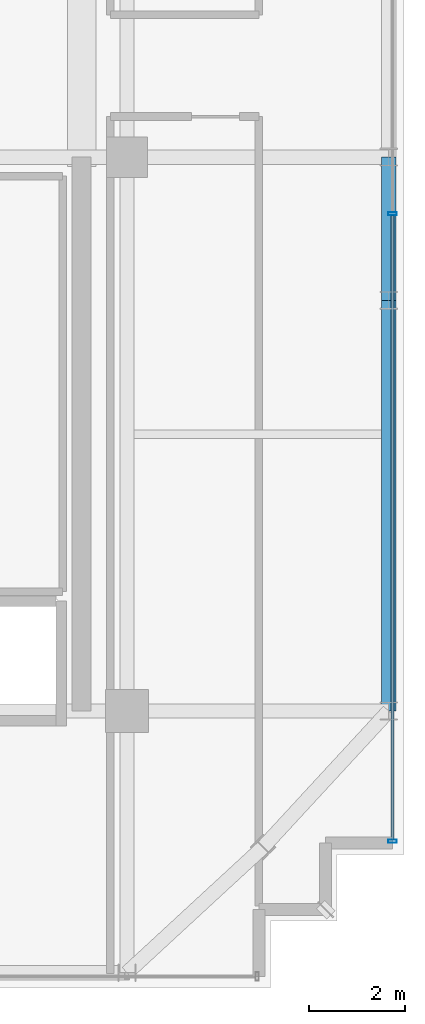
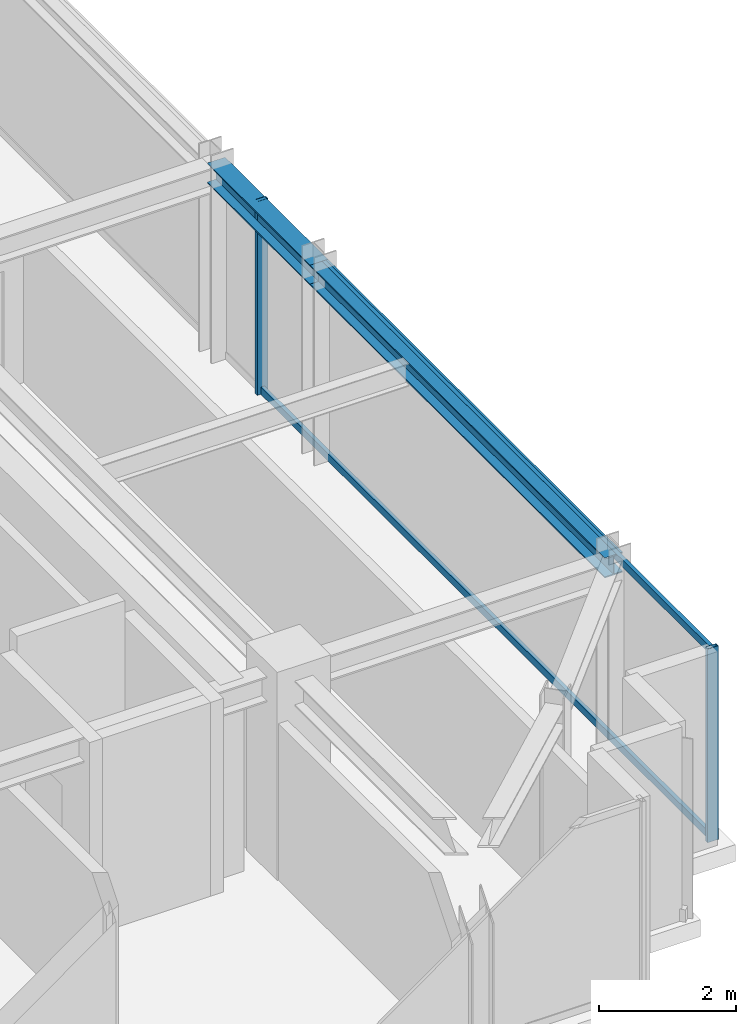
# One storey, part 14 of 36: 4 members, 2 beams, 1 element without a shape of its own.
"""IFC4 building model written with IfcOpenShell, lengths in metres."""

from ifc_helpers import new_model, si_unit, direction, frame, origin, origin_2d, place, context, subcontext, project, spatial, hollow_rectangle, i_section, extrude, source, transform, mapped, material, material_profile, profile_set, type_object, element, aggregate, save


model = new_model("IFC4")

# Units and contexts
model_context = context("Model", 3, precision=1e-05, world=origin(), true_north=direction((0.0, 1.0)))
body_context = subcontext(model_context, "Body", "Model", "MODEL_VIEW")
ifc_project = project(units=[si_unit("LENGTHUNIT", "METRE"), si_unit("AREAUNIT", "SQUARE_METRE"), si_unit("VOLUMEUNIT", "CUBIC_METRE"), si_unit("PLANEANGLEUNIT", "RADIAN"), si_unit("MASSUNIT", "GRAM", prefix="KILO")], contexts=[model_context])

# Site, building, storey
site_placement = place(None, origin())
site = spatial("IfcSite", under=ifc_project, at=site_placement, CompositionType="ELEMENT")
building_placement = place(site_placement, origin())
building = spatial("IfcBuilding", under=site, at=building_placement, Name="Nahalor Promenade Grand Hotel", CompositionType="ELEMENT")
storey_placement = place(building_placement, frame((0.0, 0.0, 273.800048828125)))
storey = spatial("IfcBuildingStorey", under=building, at=storey_placement, Name="L70", CompositionType="ELEMENT", Elevation=273.800048828125)

# Beams
ifc_material_1 = material(Name="Steel S355JR", Category="steel")
ifc_material_profile_1 = material_profile(ifc_material_1, i_section(OverallWidth=0.3, OverallDepth=0.36, WebThickness=0.0125, FlangeThickness=0.0225, at=origin_2d()), Name="HEB 360")
ifc_profile_set_1 = profile_set([ifc_material_profile_1], Name="Steel S355JR")
beam_type = type_object("IfcBeamType", Name="Beam-Spandrel-HEB360", PredefinedType="SPANDREL", material=ifc_profile_set_1)
shared_shape_1 = source(origin(), body_context, "Body", "SweptSolid", [
    extrude(i_section(OverallWidth=0.3, OverallDepth=0.36, WebThickness=0.0125, FlangeThickness=0.0225, at=origin_2d()), origin(), (0.0, 0.0, 1.0), 8.60009765625),
])
beam_1_placement = place(storey_placement, frame((22.47998046875, -17.0, 3.27001953125), z_axis=(0.0, 1.0, 0.0), x_axis=(-1.0, 0.0, 0.0)))
element("IfcBeam", 1, at=beam_1_placement, inside=storey, type_object=beam_type, Name="BM-L70-SP-E-0", PredefinedType="SPANDREL", context=body_context, shape_type="MappedRepresentation", body=[
    mapped(shared_shape_1, transform((0.0, 0.0, 0.0), scale=1.0)),
])
shared_shape_2 = source(origin(), body_context, "Body", "SweptSolid", [
    extrude(i_section(OverallWidth=0.3, OverallDepth=0.36, WebThickness=0.0125, FlangeThickness=0.0225, at=origin_2d()), origin(), (0.0, 0.0, 1.0), 3.0),
])
beam_2_placement = place(storey_placement, frame((22.47998046875, -8.39990234375, 3.27001953125), z_axis=(0.0, 1.0, 0.0), x_axis=(-1.0, 0.0, 0.0)))
element("IfcBeam", 2, at=beam_2_placement, inside=storey, type_object=beam_type, Name="BM-L70-SP-E-1", PredefinedType="SPANDREL", context=body_context, shape_type="MappedRepresentation", body=[
    mapped(shared_shape_2, transform((0.0, 0.0, 0.0), scale=1.0)),
])

# Curtain wall, members
ifc_material_2 = material(Name="Anodised Bronze Aluminium EN AW-6063 T6", Category="aluminium")
curtain_wall_type = type_object("IfcCurtainWallType", Name="CW2 Typical Hotel Flush Bronze Unitised Curtain Wall", PredefinedType="USERDEFINED", material=ifc_material_2)
curtain_wall_placement = place(storey_placement, origin())
curtain_wall = element("IfcCurtainWall", 3, at=curtain_wall_placement, inside=storey, type_object=curtain_wall_type, Name="L70 Curtain Wall CW-L70-E-1", ObjectType="UNITISED_CURTAIN_WALL", PredefinedType="USERDEFINED")
ifc_material_profile_2 = material_profile(ifc_material_2, hollow_rectangle(XDim=0.065, YDim=0.13, WallThickness=0.004, at=origin_2d()), Name="CWT 65x130x4")
ifc_profile_set_2 = profile_set([ifc_material_profile_2], Name="Anodised Bronze Aluminium EN AW-6063 T6")
member_type_1 = type_object("IfcMemberType", Name="CWT2 Typical Bronze Transom 65x130", PredefinedType="USERDEFINED", material=ifc_profile_set_2)
shared_shape_3 = source(origin(), body_context, "Body", "SweptSolid", [
    extrude(hollow_rectangle(XDim=0.065, YDim=0.13, WallThickness=0.004, at=origin_2d()), origin(), (0.0, 0.0, 1.0), 13.075927734375),
])
member_1_placement = place(storey_placement, frame((22.56005859375, -19.695068359375, 0.06494140625), z_axis=(0.0, 1.0, 0.0), x_axis=(-1.0, 0.0, 0.0)))
member_1 = element("IfcMember", 4, at=member_1_placement, type_object=member_type_1, Name="CW-L70-E-1 Transom 0-0", ObjectType="TRANSOM", PredefinedType="USERDEFINED", context=body_context, shape_type="MappedRepresentation", body=[
    mapped(shared_shape_3, transform((0.0, 0.0, 0.0), scale=1.0)),
])
member_2_placement = place(storey_placement, frame((22.56005859375, -19.695068359375, 3.385009765625), z_axis=(0.0, 1.0, 0.0), x_axis=(-1.0, 0.0, 0.0)))
member_2 = element("IfcMember", 5, at=member_2_placement, type_object=member_type_1, Name="CW-L70-E-1 Transom 0-1", ObjectType="TRANSOM", PredefinedType="USERDEFINED", context=body_context, shape_type="MappedRepresentation", body=[
    mapped(shared_shape_3, transform((0.0, 0.0, 0.0), scale=1.0)),
])
ifc_material_profile_3 = material_profile(ifc_material_2, hollow_rectangle(XDim=0.065, YDim=0.18, WallThickness=0.004, at=origin_2d()), Name="CWM 65x180x4")
ifc_profile_set_3 = profile_set([ifc_material_profile_3], Name="Anodised Bronze Aluminium EN AW-6063 T6")
member_type_2 = type_object("IfcMemberType", Name="CWM2 Typical Bronze Mullion 65x180", PredefinedType="MULLION", material=ifc_profile_set_3)
shared_shape_4 = source(origin(), body_context, "Body", "SweptSolid", [
    extrude(hollow_rectangle(XDim=0.065, YDim=0.18, WallThickness=0.004, at=origin_2d()), origin(), (0.0, 0.0, 1.0), 3.449951171875),
])
member_3_placement = place(storey_placement, frame((22.56005859375, -19.7275390625, 0.0), z_axis=(0.0, 0.0, 1.0), x_axis=(0.0, 1.0, 0.0)))
member_3 = element("IfcMember", 6, at=member_3_placement, type_object=member_type_2, Name="CW-L70-E-1 Mullion 0", PredefinedType="MULLION", context=body_context, shape_type="MappedRepresentation", body=[
    mapped(shared_shape_4, transform((0.0, 0.0, 0.0), scale=1.0)),
])
member_4_placement = place(storey_placement, frame((22.56005859375, -6.586669921875, 0.0), z_axis=(0.0, 0.0, 1.0), x_axis=(0.0, 1.0, 0.0)))
member_4 = element("IfcMember", 7, at=member_4_placement, type_object=member_type_2, Name="CW-L70-E-1 Mullion 1", PredefinedType="MULLION", context=body_context, shape_type="MappedRepresentation", body=[
    mapped(shared_shape_4, transform((0.0, 0.0, 0.0), scale=1.0)),
])
aggregate(curtain_wall, [member_3, member_4, member_1, member_2])

save(model, "model.ifc")
